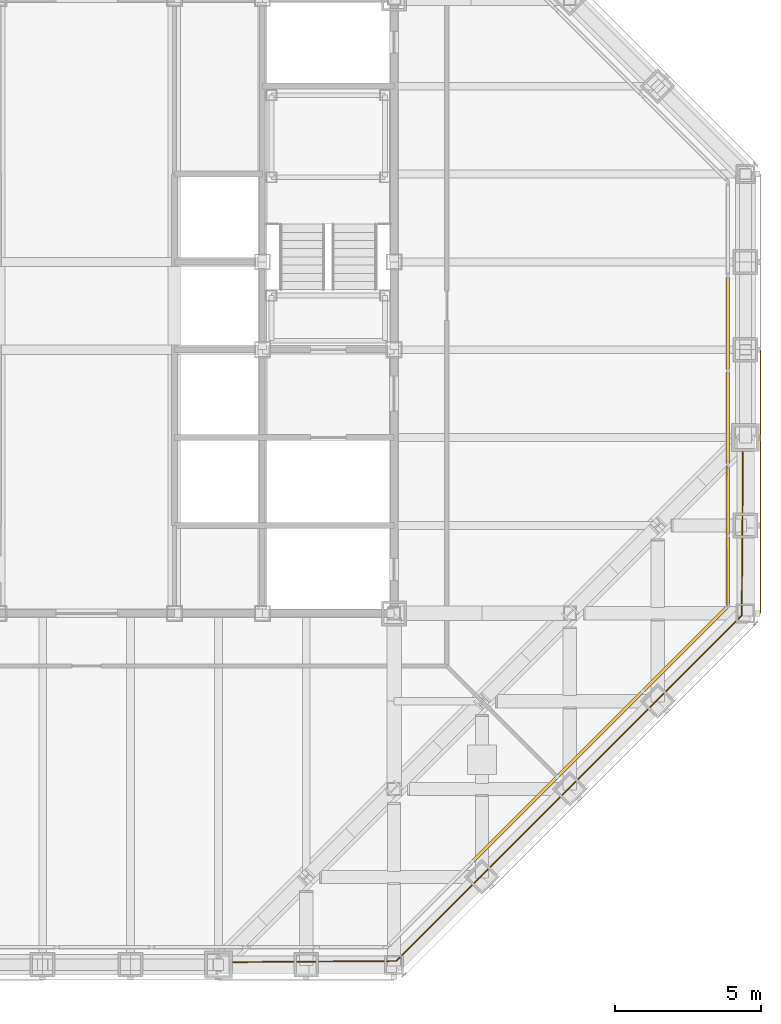
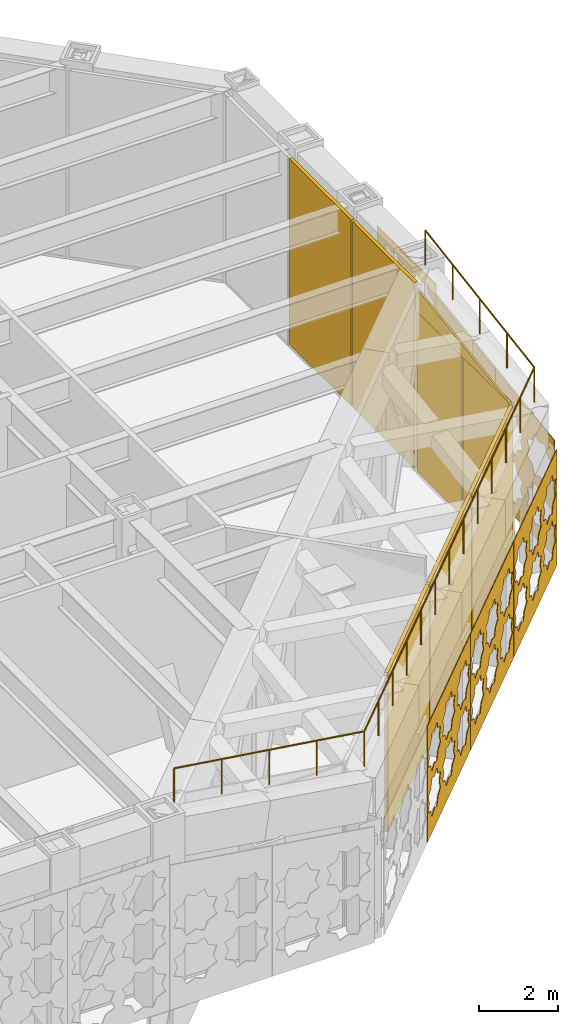
# One storey, part 25 of 29: 7 coverings, 7 shading devices, 1 railing, 3 elements without a shape of their own.
"""IFC4 building model written with IfcOpenShell, lengths in metres."""

from ifc_helpers import new_model, si_unit, direction, frame, origin, origin_2d, place, context, subcontext, project, spatial, polyline, rectangle, circle, outline, extrude, material, layer, layer_set, type_object, element, aggregate, save


model = new_model("IFC4")

# Units and contexts
model_context = context("Model", 3, precision=1e-05, world=origin(), true_north=direction((0.0, 1.0)))
body_context = subcontext(model_context, "Body", "Model", "MODEL_VIEW")
ifc_project = project(units=[si_unit("LENGTHUNIT", "METRE"), si_unit("AREAUNIT", "SQUARE_METRE"), si_unit("VOLUMEUNIT", "CUBIC_METRE"), si_unit("PLANEANGLEUNIT", "RADIAN"), si_unit("MASSUNIT", "GRAM", prefix="KILO")], contexts=[model_context])

# Site, building, storey
site_placement = place(None, origin())
site = spatial("IfcSite", under=ifc_project, at=site_placement, CompositionType="ELEMENT")
building_placement = place(site_placement, origin())
building = spatial("IfcBuilding", under=site, at=building_placement, Name="Chuquiago Exchange Tower", CompositionType="ELEMENT")
storey_placement = place(building_placement, frame((0.0, 0.0, 251.699951171875)))
storey = spatial("IfcBuildingStorey", under=building, at=storey_placement, Name="L56", CompositionType="ELEMENT", Elevation=251.699951171875)

# Curtain wall, shading devices
ifc_material_1 = material(Name="Aluminium curtain wall system", Category="aluminium")
ifc_layer_1 = layer(ifc_material_1, 0.199951171875)
ifc_layer_set_1 = layer_set([ifc_layer_1], Name="CW6 plant floor louvre wall")
curtain_wall_type = type_object("IfcCurtainWallType", Name="CW6 plant floor louvre wall", PredefinedType="NOTDEFINED", material=ifc_layer_set_1)
curtain_wall_1_placement = place(storey_placement, origin())
curtain_wall_1 = element("IfcCurtainWall", 1, at=curtain_wall_1_placement, inside=storey, type_object=curtain_wall_type, Name="CW6 curtain wall L56", PredefinedType="NOTDEFINED")
ifc_material_2 = material(Name="Aluminium louvre", Category="aluminium")
ifc_layer_2 = layer(ifc_material_2, 0.10009765625)
ifc_layer_set_2 = layer_set([ifc_layer_2], Name="CW6-P louvre panel 100")
shading_device_type = type_object("IfcShadingDeviceType", Name="CW6-P louvre panel 100", PredefinedType="USERDEFINED", material=ifc_layer_set_2)
shading_device_1_placement = place(storey_placement, frame((37.11962890625, 4.96826171875, 0.074951171875), z_axis=(0.0, 0.0, 1.0), x_axis=(0.707106781187, 0.707106781187, 0.0)))
shading_device_1 = element("IfcShadingDevice", 2, at=shading_device_1_placement, type_object=shading_device_type, Name="CW6 panel 2.1", ObjectType="LOUVER", PredefinedType="USERDEFINED", context=body_context, shape_type="SweptSolid", body=[
    extrude(rectangle(XDim=4.04345703125, YDim=0.10009765625, at=origin_2d()), origin(), (0.0, 0.0, 1.0), 4.9462890625),
])
shading_device_2_placement = place(storey_placement, frame((40.03173828125, 7.88037109375, 0.074951171875), z_axis=(0.0, 0.0, 1.0), x_axis=(0.707106781187, 0.707106781187, 0.0)))
shading_device_2 = element("IfcShadingDevice", 3, at=shading_device_2_placement, type_object=shading_device_type, Name="CW6 panel 3.1", ObjectType="LOUVER", PredefinedType="USERDEFINED", context=body_context, shape_type="SweptSolid", body=[
    extrude(rectangle(XDim=4.04345703125, YDim=0.10009765625, at=origin_2d()), origin(), (0.0, 0.0, 1.0), 4.9462890625),
])
shading_device_3_placement = place(storey_placement, frame((42.9306640625, 10.779296875, 0.074951171875), z_axis=(0.0, 0.0, 1.0), x_axis=(0.707106781187, 0.707106781187, 0.0)))
shading_device_3 = element("IfcShadingDevice", 4, at=shading_device_3_placement, type_object=shading_device_type, Name="CW6 panel 4.1", ObjectType="LOUVER", PredefinedType="USERDEFINED", context=body_context, shape_type="SweptSolid", body=[
    extrude(rectangle(XDim=4.005859375, YDim=0.10009765625, at=origin_2d()), origin(), (0.0, 0.0, 1.0), 4.9462890625),
])
aggregate(curtain_wall_1, [shading_device_1, shading_device_2, shading_device_3])

curtain_wall_2_placement = place(storey_placement, origin())
curtain_wall_2 = element("IfcCurtainWall", 5, at=curtain_wall_2_placement, inside=storey, type_object=curtain_wall_type, Name="CW6 curtain wall L56", PredefinedType="NOTDEFINED")
shading_device_4_placement = place(storey_placement, frame((44.39990234375, 13.466796875, 0.074951171875), z_axis=(0.0, 0.0, 1.0), x_axis=(0.0, 1.0, 0.0)))
shading_device_4 = element("IfcShadingDevice", 6, at=shading_device_4_placement, type_object=shading_device_type, Name="CW6 panel 1.1", ObjectType="LOUVER", PredefinedType="USERDEFINED", context=body_context, shape_type="SweptSolid", body=[
    extrude(rectangle(XDim=2.286376953125, YDim=0.10009765625, at=origin_2d()), origin(), (0.0, 0.0, 1.0), 4.9462890625),
])
shading_device_5_placement = place(storey_placement, frame((44.39990234375, 15.828125, 0.074951171875), z_axis=(0.0, 0.0, 1.0), x_axis=(0.0, 1.0, 0.0)))
shading_device_5 = element("IfcShadingDevice", 7, at=shading_device_5_placement, type_object=shading_device_type, Name="CW6 panel 2.1", ObjectType="LOUVER", PredefinedType="USERDEFINED", context=body_context, shape_type="SweptSolid", body=[
    extrude(rectangle(XDim=2.286376953125, YDim=0.10009765625, at=origin_2d()), origin(), (0.0, 0.0, 1.0), 4.9462890625),
])
aggregate(curtain_wall_2, [shading_device_4, shading_device_5])

curtain_wall_3_placement = place(storey_placement, origin())
curtain_wall_3 = element("IfcCurtainWall", 8, at=curtain_wall_3_placement, inside=storey, type_object=curtain_wall_type, Name="CW6 curtain wall L56", PredefinedType="NOTDEFINED")
shading_device_6_placement = place(storey_placement, frame((44.39990234375, 18.6826171875, 0.0751953125), z_axis=(0.0, 0.0, 1.0), x_axis=(0.0, 1.0, 0.0)))
shading_device_6 = element("IfcShadingDevice", 9, at=shading_device_6_placement, type_object=shading_device_type, Name="CW6 panel 1.1", ObjectType="LOUVER", PredefinedType="USERDEFINED", context=body_context, shape_type="SweptSolid", body=[
    extrude(rectangle(XDim=3.12255859375, YDim=0.10009765625, at=origin_2d()), origin(), (0.0, 0.0, 1.0), 5.764892578125),
])
shading_device_7_placement = place(storey_placement, frame((44.39990234375, 21.89892578125, 0.0751953125), z_axis=(0.0, 0.0, 1.0), x_axis=(0.0, 1.0, 0.0)))
shading_device_7 = element("IfcShadingDevice", 10, at=shading_device_7_placement, type_object=shading_device_type, Name="CW6 panel 2.1", ObjectType="LOUVER", PredefinedType="USERDEFINED", context=body_context, shape_type="SweptSolid", body=[
    extrude(rectangle(XDim=3.159912109375, YDim=0.10009765625, at=origin_2d()), origin(), (0.0, 0.0, 1.0), 5.764892578125),
])
aggregate(curtain_wall_3, [shading_device_6, shading_device_7])

# Coverings
ifc_material_3 = material(Name="Pale metal insulated fascia panel", Category="aluminium")
ifc_layer_3 = layer(ifc_material_3, 0.050048828125)
ifc_layer_set_3 = layer_set([ifc_layer_3], Name="FX1 raked fascia panel 50")
covering_type_1 = type_object("IfcCoveringType", Name="FX1 raked fascia panel 50", PredefinedType="CLADDING", material=ifc_layer_set_3)
covering_1_placement = place(storey_placement, frame((44.39990234375, 12.24853515625, 5.021240234375), z_axis=(1.0, 0.0, 0.0), x_axis=(0.0, 1.0, 0.0)))
element("IfcCovering", 11, at=covering_1_placement, inside=storey, type_object=covering_type_1, Name="Raked fascia L56 E under the SE facet roof", PredefinedType="CLADDING", context=body_context, shape_type="SweptSolid", body=[
    extrude(outline(polyline([(0.0, 0.0), (4.7978515625, 0.0), (4.7978515625, 0.72119140625), (0.0, 0.0)])), origin(), (0.0, 0.0, -1.0), 0.050048828125),
])
ifc_material_4 = material(Name="Anodised aluminium, pale", Category="aluminium")
ifc_layer_4 = layer(ifc_material_4, 0.02001953125)
ifc_layer_set_4 = layer_set([ifc_layer_4], Name="GC1 girih cladding panel 20")
covering_type_2 = type_object("IfcCoveringType", Name="GC1 girih cladding panel 20", PredefinedType="CLADDING", material=ifc_layer_set_4)
covering_2_placement = place(storey_placement, frame((45.5, 12.0048828125, 0.050048828125), z_axis=(0.0, 0.0, 1.0), x_axis=(0.0, 1.0, 0.0)))
element("IfcCovering", 12, at=covering_2_placement, inside=storey, type_object=covering_type_2, Name="Girih cladding panel L56 E 1", PredefinedType="CLADDING", context=body_context, shape_type="SweptSolid", body=[
    extrude(outline(polyline([(0.0, 0.0), (2.989990234375, 0.0), (2.989990234375, 4.04833984375), (0.0, 3.59912109375), (0.0, 0.0)]), holes=[polyline([(1.27392578125, 1.052001953125), (1.3828125, 1.315185546875), (1.11962890625, 1.42431640625), (1.0107421875, 1.6875), (0.74755859375, 1.578369140625), (0.484375, 1.6875), (0.375244140625, 1.42431640625), (0.112060546875, 1.315185546875), (0.22119140625, 1.052001953125), (0.112060546875, 0.788818359375), (0.375244140625, 0.6796875), (0.484375, 0.41650390625), (0.74755859375, 0.525634765625), (1.0107421875, 0.41650390625), (1.11962890625, 0.6796875), (1.3828125, 0.788818359375), (1.27392578125, 1.052001953125)]), polyline([(2.768798828125, 1.052001953125), (2.8779296875, 1.315185546875), (2.61474609375, 1.42431640625), (2.505615234375, 1.6875), (2.242431640625, 1.578369140625), (1.979248046875, 1.6875), (1.870361328125, 1.42431640625), (1.607177734375, 1.315185546875), (1.716064453125, 1.052001953125), (1.607177734375, 0.788818359375), (1.870361328125, 0.6796875), (1.979248046875, 0.41650390625), (2.242431640625, 0.525634765625), (2.505615234375, 0.41650390625), (2.61474609375, 0.6796875), (2.8779296875, 0.788818359375), (2.768798828125, 1.052001953125)]), polyline([(1.27392578125, 2.547119140625), (1.3828125, 2.810302734375), (1.11962890625, 2.919189453125), (1.0107421875, 3.182373046875), (0.74755859375, 3.073486328125), (0.484375, 3.182373046875), (0.375244140625, 2.919189453125), (0.112060546875, 2.810302734375), (0.22119140625, 2.547119140625), (0.112060546875, 2.28369140625), (0.375244140625, 2.1748046875), (0.484375, 1.91162109375), (0.74755859375, 2.0205078125), (1.0107421875, 1.91162109375), (1.11962890625, 2.1748046875), (1.3828125, 2.28369140625), (1.27392578125, 2.547119140625)]), polyline([(2.768798828125, 2.547119140625), (2.8779296875, 2.810302734375), (2.61474609375, 2.919189453125), (2.505615234375, 3.182373046875), (2.242431640625, 3.073486328125), (1.979248046875, 3.182373046875), (1.870361328125, 2.919189453125), (1.607177734375, 2.810302734375), (1.716064453125, 2.547119140625), (1.607177734375, 2.28369140625), (1.870361328125, 2.1748046875), (1.979248046875, 1.91162109375), (2.242431640625, 2.0205078125), (2.505615234375, 1.91162109375), (2.61474609375, 2.1748046875), (2.8779296875, 2.28369140625), (2.768798828125, 2.547119140625)])]), frame((0.0, 0.0, 0.0), z_axis=(0.0, -1.0, 0.0), x_axis=(1.0, 0.0, 0.0)), (0.0, 0.0, 1.0), 0.02001953125),
])
covering_3_placement = place(storey_placement, frame((45.5, 15.0048828125, 0.050048828125), z_axis=(0.0, 0.0, 1.0), x_axis=(0.0, 1.0, 0.0)))
element("IfcCovering", 13, at=covering_3_placement, inside=storey, type_object=covering_type_2, Name="Girih cladding panel L56 E 2", PredefinedType="CLADDING", context=body_context, shape_type="SweptSolid", body=[
    extrude(outline(polyline([(0.0, 0.0), (2.989990234375, 0.0), (2.989990234375, 4.499267578125), (0.0, 4.0498046875), (0.0, 0.0)]), holes=[polyline([(1.27392578125, 1.27734375), (1.3828125, 1.54052734375), (1.11962890625, 1.649658203125), (1.0107421875, 1.912841796875), (0.74755859375, 1.8037109375), (0.484375, 1.912841796875), (0.375244140625, 1.649658203125), (0.112060546875, 1.54052734375), (0.22119140625, 1.27734375), (0.112060546875, 1.014404296875), (0.375244140625, 0.9052734375), (0.484375, 0.64208984375), (0.74755859375, 0.751220703125), (1.0107421875, 0.64208984375), (1.11962890625, 0.9052734375), (1.3828125, 1.014404296875), (1.27392578125, 1.27734375)]), polyline([(2.768798828125, 1.27734375), (2.8779296875, 1.54052734375), (2.61474609375, 1.649658203125), (2.505615234375, 1.912841796875), (2.242431640625, 1.8037109375), (1.979248046875, 1.912841796875), (1.870361328125, 1.649658203125), (1.607177734375, 1.54052734375), (1.716064453125, 1.27734375), (1.607177734375, 1.014404296875), (1.870361328125, 0.9052734375), (1.979248046875, 0.64208984375), (2.242431640625, 0.751220703125), (2.505615234375, 0.64208984375), (2.61474609375, 0.9052734375), (2.8779296875, 1.014404296875), (2.768798828125, 1.27734375)]), polyline([(1.27392578125, 2.7724609375), (1.3828125, 3.03564453125), (1.11962890625, 3.14453125), (1.0107421875, 3.40771484375), (0.74755859375, 3.298828125), (0.484375, 3.40771484375), (0.375244140625, 3.14453125), (0.112060546875, 3.03564453125), (0.22119140625, 2.7724609375), (0.112060546875, 2.50927734375), (0.375244140625, 2.400390625), (0.484375, 2.13720703125), (0.74755859375, 2.24609375), (1.0107421875, 2.13720703125), (1.11962890625, 2.400390625), (1.3828125, 2.50927734375), (1.27392578125, 2.7724609375)]), polyline([(2.768798828125, 2.7724609375), (2.8779296875, 3.03564453125), (2.61474609375, 3.14453125), (2.505615234375, 3.40771484375), (2.242431640625, 3.298828125), (1.979248046875, 3.40771484375), (1.870361328125, 3.14453125), (1.607177734375, 3.03564453125), (1.716064453125, 2.7724609375), (1.607177734375, 2.50927734375), (1.870361328125, 2.400390625), (1.979248046875, 2.13720703125), (2.242431640625, 2.24609375), (2.505615234375, 2.13720703125), (2.61474609375, 2.400390625), (2.8779296875, 2.50927734375), (2.768798828125, 2.7724609375)])]), frame((0.0, 0.0, 0.0), z_axis=(0.0, -1.0, 0.0), x_axis=(1.0, 0.0, 0.0)), (0.0, 0.0, 1.0), 0.02001953125),
])
covering_4_placement = place(storey_placement, frame((45.5, 18.0048828125, 0.050048828125), z_axis=(0.0, 0.0, 1.0), x_axis=(0.0, 1.0, 0.0)))
element("IfcCovering", 14, at=covering_4_placement, inside=storey, type_object=covering_type_2, Name="Girih cladding panel L56 E 3", PredefinedType="CLADDING", context=body_context, shape_type="SweptSolid", body=[
    extrude(outline(polyline([(0.0, 0.0), (2.989990234375, 0.0), (2.989990234375, 4.7900390625), (0.0, 4.7900390625), (0.0, 0.0)]), holes=[polyline([(1.27392578125, 0.89990234375), (1.3828125, 1.1630859375), (1.11962890625, 1.272216796875), (1.0107421875, 1.535400390625), (0.74755859375, 1.426513671875), (0.484375, 1.535400390625), (0.375244140625, 1.272216796875), (0.112060546875, 1.1630859375), (0.22119140625, 0.89990234375), (0.112060546875, 0.63671875), (0.375244140625, 0.52783203125), (0.484375, 0.2646484375), (0.74755859375, 0.37353515625), (1.0107421875, 0.2646484375), (1.11962890625, 0.52783203125), (1.3828125, 0.63671875), (1.27392578125, 0.89990234375)]), polyline([(2.768798828125, 0.89990234375), (2.8779296875, 1.1630859375), (2.61474609375, 1.272216796875), (2.505615234375, 1.535400390625), (2.242431640625, 1.426513671875), (1.979248046875, 1.535400390625), (1.870361328125, 1.272216796875), (1.607177734375, 1.1630859375), (1.716064453125, 0.89990234375), (1.607177734375, 0.63671875), (1.870361328125, 0.52783203125), (1.979248046875, 0.2646484375), (2.242431640625, 0.37353515625), (2.505615234375, 0.2646484375), (2.61474609375, 0.52783203125), (2.8779296875, 0.63671875), (2.768798828125, 0.89990234375)]), polyline([(1.27392578125, 2.39501953125), (1.3828125, 2.658203125), (1.11962890625, 2.76708984375), (1.0107421875, 3.030517578125), (0.74755859375, 2.92138671875), (0.484375, 3.030517578125), (0.375244140625, 2.76708984375), (0.112060546875, 2.658203125), (0.22119140625, 2.39501953125), (0.112060546875, 2.1318359375), (0.375244140625, 2.022705078125), (0.484375, 1.759521484375), (0.74755859375, 1.86865234375), (1.0107421875, 1.759521484375), (1.11962890625, 2.022705078125), (1.3828125, 2.1318359375), (1.27392578125, 2.39501953125)]), polyline([(2.768798828125, 2.39501953125), (2.8779296875, 2.658203125), (2.61474609375, 2.76708984375), (2.505615234375, 3.030517578125), (2.242431640625, 2.92138671875), (1.979248046875, 3.030517578125), (1.870361328125, 2.76708984375), (1.607177734375, 2.658203125), (1.716064453125, 2.39501953125), (1.607177734375, 2.1318359375), (1.870361328125, 2.022705078125), (1.979248046875, 1.759521484375), (2.242431640625, 1.86865234375), (2.505615234375, 1.759521484375), (2.61474609375, 2.022705078125), (2.8779296875, 2.1318359375), (2.768798828125, 2.39501953125)]), polyline([(1.27392578125, 3.889892578125), (1.3828125, 4.1533203125), (1.11962890625, 4.26220703125), (1.0107421875, 4.525390625), (0.74755859375, 4.41650390625), (0.484375, 4.525390625), (0.375244140625, 4.26220703125), (0.112060546875, 4.1533203125), (0.22119140625, 3.889892578125), (0.112060546875, 3.626708984375), (0.375244140625, 3.517822265625), (0.484375, 3.254638671875), (0.74755859375, 3.363525390625), (1.0107421875, 3.254638671875), (1.11962890625, 3.517822265625), (1.3828125, 3.626708984375), (1.27392578125, 3.889892578125)]), polyline([(2.768798828125, 3.889892578125), (2.8779296875, 4.1533203125), (2.61474609375, 4.26220703125), (2.505615234375, 4.525390625), (2.242431640625, 4.41650390625), (1.979248046875, 4.525390625), (1.870361328125, 4.26220703125), (1.607177734375, 4.1533203125), (1.716064453125, 3.889892578125), (1.607177734375, 3.626708984375), (1.870361328125, 3.517822265625), (1.979248046875, 3.254638671875), (2.242431640625, 3.363525390625), (2.505615234375, 3.254638671875), (2.61474609375, 3.517822265625), (2.8779296875, 3.626708984375), (2.768798828125, 3.889892578125)])]), frame((0.0, 0.0, 0.0), z_axis=(0.0, -1.0, 0.0), x_axis=(1.0, 0.0, 0.0)), (0.0, 0.0, 1.0), 0.02001953125),
])
ifc_material_5 = material(Name="Anodised aluminium, pale", Category="aluminium")
ifc_layer_5 = layer(ifc_material_5, 0.02001953125)
ifc_layer_set_5 = layer_set([ifc_layer_5], Name="GC2 girih cladding panel 20")
covering_type_3 = type_object("IfcCoveringType", Name="GC2 girih cladding panel 20", PredefinedType="CLADDING", material=ifc_layer_set_5)
covering_5_placement = place(storey_placement, frame((36.357177734375, 2.64990234375, 0.050048828125), z_axis=(0.0, 0.0, 1.0), x_axis=(0.707106781187, 0.707106781187, 0.0)))
element("IfcCovering", 15, at=covering_5_placement, inside=storey, type_object=covering_type_3, Name="Girih cladding panel L56 SE 2", PredefinedType="CLADDING", context=body_context, shape_type="SweptSolid", body=[
    extrude(outline(polyline([(0.0, 0.0), (4.232666015625, 0.0), (4.232666015625, 3.59814453125), (0.0, 3.59814453125), (0.0, 0.0)]), holes=[polyline([(1.2021484375, 1.093505859375), (1.304931640625, 1.342041015625), (1.056640625, 1.44482421875), (0.953857421875, 1.693115234375), (0.70556640625, 1.59033203125), (0.45703125, 1.693115234375), (0.354248046875, 1.44482421875), (0.10595703125, 1.342041015625), (0.208740234375, 1.093505859375), (0.10595703125, 0.84521484375), (0.354248046875, 0.742431640625), (0.45703125, 0.494140625), (0.705322265625, 0.596923828125), (0.953857421875, 0.494140625), (1.056640625, 0.742431640625), (1.304931640625, 0.84521484375), (1.2021484375, 1.093505859375)]), polyline([(2.613037109375, 1.093505859375), (2.7158203125, 1.342041015625), (2.467529296875, 1.44482421875), (2.36474609375, 1.693115234375), (2.116455078125, 1.59033203125), (1.867919921875, 1.693115234375), (1.76513671875, 1.44482421875), (1.516845703125, 1.342041015625), (1.61962890625, 1.093505859375), (1.516845703125, 0.84521484375), (1.76513671875, 0.742431640625), (1.867919921875, 0.494140625), (2.116455078125, 0.596923828125), (2.36474609375, 0.494140625), (2.467529296875, 0.742431640625), (2.7158203125, 0.84521484375), (2.613037109375, 1.093505859375)]), polyline([(4.02392578125, 1.093505859375), (4.126708984375, 1.342041015625), (3.87841796875, 1.44482421875), (3.775634765625, 1.693115234375), (3.527099609375, 1.59033203125), (3.27880859375, 1.693115234375), (3.176025390625, 1.44482421875), (2.927734375, 1.342041015625), (3.030517578125, 1.093505859375), (2.927734375, 0.84521484375), (3.176025390625, 0.742431640625), (3.27880859375, 0.494140625), (3.527099609375, 0.596923828125), (3.775634765625, 0.494140625), (3.87841796875, 0.742431640625), (4.126708984375, 0.84521484375), (4.02392578125, 1.093505859375)]), polyline([(1.2021484375, 2.50439453125), (1.304931640625, 2.7529296875), (1.056640625, 2.855712890625), (0.953857421875, 3.10400390625), (0.70556640625, 3.001220703125), (0.45703125, 3.10400390625), (0.354248046875, 2.855712890625), (0.10595703125, 2.7529296875), (0.208740234375, 2.50439453125), (0.10595703125, 2.256103515625), (0.354248046875, 2.1533203125), (0.45703125, 1.905029296875), (0.705322265625, 2.0078125), (0.953857421875, 1.905029296875), (1.056640625, 2.1533203125), (1.304931640625, 2.256103515625), (1.2021484375, 2.50439453125)]), polyline([(2.613037109375, 2.50439453125), (2.7158203125, 2.7529296875), (2.467529296875, 2.855712890625), (2.36474609375, 3.10400390625), (2.116455078125, 3.001220703125), (1.867919921875, 3.10400390625), (1.76513671875, 2.855712890625), (1.516845703125, 2.7529296875), (1.61962890625, 2.50439453125), (1.516845703125, 2.256103515625), (1.76513671875, 2.1533203125), (1.867919921875, 1.905029296875), (2.116455078125, 2.0078125), (2.36474609375, 1.905029296875), (2.467529296875, 2.1533203125), (2.7158203125, 2.256103515625), (2.613037109375, 2.50439453125)]), polyline([(4.02392578125, 2.50439453125), (4.126708984375, 2.7529296875), (3.87841796875, 2.855712890625), (3.775634765625, 3.10400390625), (3.527099609375, 3.001220703125), (3.27880859375, 3.10400390625), (3.176025390625, 2.855712890625), (2.927734375, 2.7529296875), (3.030517578125, 2.50439453125), (2.927734375, 2.256103515625), (3.176025390625, 2.1533203125), (3.27880859375, 1.905029296875), (3.527099609375, 2.0078125), (3.775634765625, 1.905029296875), (3.87841796875, 2.1533203125), (4.126708984375, 2.256103515625), (4.02392578125, 2.50439453125)])]), frame((0.0, 0.0, 0.0), z_axis=(0.0, -1.0, 0.0), x_axis=(1.0, 0.0, 0.0)), (0.0, 0.0, 1.0), 0.02001953125),
])
covering_6_placement = place(storey_placement, frame((39.357177734375, 5.64990234375, 0.050048828125), z_axis=(0.0, 0.0, 1.0), x_axis=(0.707106781187, 0.707106781187, 0.0)))
element("IfcCovering", 16, at=covering_6_placement, inside=storey, type_object=covering_type_3, Name="Girih cladding panel L56 SE 3", PredefinedType="CLADDING", context=body_context, shape_type="SweptSolid", body=[
    extrude(outline(polyline([(0.0, 0.0), (4.232666015625, 0.0), (4.232666015625, 3.59814453125), (0.0, 3.59814453125), (0.0, 0.0)]), holes=[polyline([(1.2021484375, 1.093505859375), (1.304931640625, 1.342041015625), (1.056640625, 1.44482421875), (0.953857421875, 1.693115234375), (0.70556640625, 1.59033203125), (0.45703125, 1.693115234375), (0.354248046875, 1.44482421875), (0.10595703125, 1.342041015625), (0.208740234375, 1.093505859375), (0.10595703125, 0.84521484375), (0.354248046875, 0.742431640625), (0.45703125, 0.494140625), (0.705322265625, 0.596923828125), (0.953857421875, 0.494140625), (1.056640625, 0.742431640625), (1.304931640625, 0.84521484375), (1.2021484375, 1.093505859375)]), polyline([(2.613037109375, 1.093505859375), (2.7158203125, 1.342041015625), (2.467529296875, 1.44482421875), (2.36474609375, 1.693115234375), (2.116455078125, 1.59033203125), (1.867919921875, 1.693115234375), (1.76513671875, 1.44482421875), (1.516845703125, 1.342041015625), (1.61962890625, 1.093505859375), (1.516845703125, 0.84521484375), (1.76513671875, 0.742431640625), (1.867919921875, 0.494140625), (2.116455078125, 0.596923828125), (2.36474609375, 0.494140625), (2.467529296875, 0.742431640625), (2.7158203125, 0.84521484375), (2.613037109375, 1.093505859375)]), polyline([(4.02392578125, 1.093505859375), (4.126708984375, 1.342041015625), (3.87841796875, 1.44482421875), (3.775634765625, 1.693115234375), (3.527099609375, 1.59033203125), (3.27880859375, 1.693115234375), (3.176025390625, 1.44482421875), (2.927734375, 1.342041015625), (3.030517578125, 1.093505859375), (2.927734375, 0.84521484375), (3.176025390625, 0.742431640625), (3.27880859375, 0.494140625), (3.527099609375, 0.596923828125), (3.775634765625, 0.494140625), (3.87841796875, 0.742431640625), (4.126708984375, 0.84521484375), (4.02392578125, 1.093505859375)]), polyline([(1.2021484375, 2.50439453125), (1.304931640625, 2.7529296875), (1.056640625, 2.855712890625), (0.953857421875, 3.10400390625), (0.70556640625, 3.001220703125), (0.45703125, 3.10400390625), (0.354248046875, 2.855712890625), (0.10595703125, 2.7529296875), (0.208740234375, 2.50439453125), (0.10595703125, 2.256103515625), (0.354248046875, 2.1533203125), (0.45703125, 1.905029296875), (0.705322265625, 2.0078125), (0.953857421875, 1.905029296875), (1.056640625, 2.1533203125), (1.304931640625, 2.256103515625), (1.2021484375, 2.50439453125)]), polyline([(2.613037109375, 2.50439453125), (2.7158203125, 2.7529296875), (2.467529296875, 2.855712890625), (2.36474609375, 3.10400390625), (2.116455078125, 3.001220703125), (1.867919921875, 3.10400390625), (1.76513671875, 2.855712890625), (1.516845703125, 2.7529296875), (1.61962890625, 2.50439453125), (1.516845703125, 2.256103515625), (1.76513671875, 2.1533203125), (1.867919921875, 1.905029296875), (2.116455078125, 2.0078125), (2.36474609375, 1.905029296875), (2.467529296875, 2.1533203125), (2.7158203125, 2.256103515625), (2.613037109375, 2.50439453125)]), polyline([(4.02392578125, 2.50439453125), (4.126708984375, 2.7529296875), (3.87841796875, 2.855712890625), (3.775634765625, 3.10400390625), (3.527099609375, 3.001220703125), (3.27880859375, 3.10400390625), (3.176025390625, 2.855712890625), (2.927734375, 2.7529296875), (3.030517578125, 2.50439453125), (2.927734375, 2.256103515625), (3.176025390625, 2.1533203125), (3.27880859375, 1.905029296875), (3.527099609375, 2.0078125), (3.775634765625, 1.905029296875), (3.87841796875, 2.1533203125), (4.126708984375, 2.256103515625), (4.02392578125, 2.50439453125)])]), frame((0.0, 0.0, 0.0), z_axis=(0.0, -1.0, 0.0), x_axis=(1.0, 0.0, 0.0)), (0.0, 0.0, 1.0), 0.02001953125),
])
covering_7_placement = place(storey_placement, frame((42.357177734375, 8.64990234375, 0.050048828125), z_axis=(0.0, 0.0, 1.0), x_axis=(0.707106781187, 0.707106781187, 0.0)))
element("IfcCovering", 17, at=covering_7_placement, inside=storey, type_object=covering_type_3, Name="Girih cladding panel L56 SE 4", PredefinedType="CLADDING", context=body_context, shape_type="SweptSolid", body=[
    extrude(outline(polyline([(0.0, 0.0), (4.232666015625, 0.0), (4.232666015625, 3.59814453125), (0.0, 3.59814453125), (0.0, 0.0)]), holes=[polyline([(1.2021484375, 1.093505859375), (1.304931640625, 1.342041015625), (1.056640625, 1.44482421875), (0.953857421875, 1.693115234375), (0.70556640625, 1.59033203125), (0.45703125, 1.693115234375), (0.354248046875, 1.44482421875), (0.10595703125, 1.342041015625), (0.208740234375, 1.093505859375), (0.10595703125, 0.84521484375), (0.354248046875, 0.742431640625), (0.45703125, 0.494140625), (0.705322265625, 0.596923828125), (0.953857421875, 0.494140625), (1.056640625, 0.742431640625), (1.304931640625, 0.84521484375), (1.2021484375, 1.093505859375)]), polyline([(2.613037109375, 1.093505859375), (2.7158203125, 1.342041015625), (2.467529296875, 1.44482421875), (2.36474609375, 1.693115234375), (2.116455078125, 1.59033203125), (1.867919921875, 1.693115234375), (1.76513671875, 1.44482421875), (1.516845703125, 1.342041015625), (1.61962890625, 1.093505859375), (1.516845703125, 0.84521484375), (1.76513671875, 0.742431640625), (1.867919921875, 0.494140625), (2.116455078125, 0.596923828125), (2.36474609375, 0.494140625), (2.467529296875, 0.742431640625), (2.7158203125, 0.84521484375), (2.613037109375, 1.093505859375)]), polyline([(4.02392578125, 1.093505859375), (4.126708984375, 1.342041015625), (3.87841796875, 1.44482421875), (3.775634765625, 1.693115234375), (3.527099609375, 1.59033203125), (3.27880859375, 1.693115234375), (3.176025390625, 1.44482421875), (2.927734375, 1.342041015625), (3.030517578125, 1.093505859375), (2.927734375, 0.84521484375), (3.176025390625, 0.742431640625), (3.27880859375, 0.494140625), (3.527099609375, 0.596923828125), (3.775634765625, 0.494140625), (3.87841796875, 0.742431640625), (4.126708984375, 0.84521484375), (4.02392578125, 1.093505859375)]), polyline([(1.2021484375, 2.50439453125), (1.304931640625, 2.7529296875), (1.056640625, 2.855712890625), (0.953857421875, 3.10400390625), (0.70556640625, 3.001220703125), (0.45703125, 3.10400390625), (0.354248046875, 2.855712890625), (0.10595703125, 2.7529296875), (0.208740234375, 2.50439453125), (0.10595703125, 2.256103515625), (0.354248046875, 2.1533203125), (0.45703125, 1.905029296875), (0.705322265625, 2.0078125), (0.953857421875, 1.905029296875), (1.056640625, 2.1533203125), (1.304931640625, 2.256103515625), (1.2021484375, 2.50439453125)]), polyline([(2.613037109375, 2.50439453125), (2.7158203125, 2.7529296875), (2.467529296875, 2.855712890625), (2.36474609375, 3.10400390625), (2.116455078125, 3.001220703125), (1.867919921875, 3.10400390625), (1.76513671875, 2.855712890625), (1.516845703125, 2.7529296875), (1.61962890625, 2.50439453125), (1.516845703125, 2.256103515625), (1.76513671875, 2.1533203125), (1.867919921875, 1.905029296875), (2.116455078125, 2.0078125), (2.36474609375, 1.905029296875), (2.467529296875, 2.1533203125), (2.7158203125, 2.256103515625), (2.613037109375, 2.50439453125)]), polyline([(4.02392578125, 2.50439453125), (4.126708984375, 2.7529296875), (3.87841796875, 2.855712890625), (3.775634765625, 3.10400390625), (3.527099609375, 3.001220703125), (3.27880859375, 3.10400390625), (3.176025390625, 2.855712890625), (2.927734375, 2.7529296875), (3.030517578125, 2.50439453125), (2.927734375, 2.256103515625), (3.176025390625, 2.1533203125), (3.27880859375, 1.905029296875), (3.527099609375, 2.0078125), (3.775634765625, 1.905029296875), (3.87841796875, 2.1533203125), (4.126708984375, 2.256103515625), (4.02392578125, 2.50439453125)])]), frame((0.0, 0.0, 0.0), z_axis=(0.0, -1.0, 0.0), x_axis=(1.0, 0.0, 0.0)), (0.0, 0.0, 1.0), 0.02001953125),
])

# Railing
ifc_material_6 = material(Name="Galvanised steel guard", Category="steel")
railing_type = type_object("IfcRailingType", Name="GR2 roof guard 1100", PredefinedType="GUARDRAIL", material=ifc_material_6)
railing_placement = place(storey_placement, frame((44.910888671875, 17.52587890625, 5.942138671875)))
element("IfcRailing", 18, at=railing_placement, inside=storey, type_object=railing_type, Name="Facet roof L56 SE guard, maintenance access only", PredefinedType="GUARDRAIL", context=body_context, shape_type="SweptSolid", body=[
    extrude(circle(Radius=0.02392578125, at=origin_2d()), frame((0.0, 0.0, 1.076171875), z_axis=(-0.006981336084, -0.989022611847, -0.147599235101), x_axis=(0.999975087436, -0.007058647676, 0.0)), (0.0, 0.0, 1.0), 5.665283203125),
    extrude(circle(Radius=0.02392578125, at=origin_2d()), frame((-0.03955078125, -5.60302734375, 0.23974609375), z_axis=(-0.707106781187, -0.707106781187, 0.0), x_axis=(0.707106781187, -0.707106781187, 0.0)), (0.0, 0.0, 1.0), 16.679443359375),
    extrude(circle(Radius=0.02392578125, at=origin_2d()), frame((-11.833740234375, -17.397216796875, 0.23974609375), z_axis=(-0.989022611847, -0.006981336084, 0.147599235101), x_axis=(0.007058647676, -0.999975087436, 0.0)), (0.0, 0.0, 1.0), 5.665283203125),
    extrude(circle(Radius=0.02099609375, at=origin_2d()), origin(), (0.0, 0.0, 1.0), 1.052001953125),
    extrude(circle(Radius=0.02099609375, at=origin_2d()), frame((-0.009765625, -1.40087890625, -0.208984375)), (0.0, 0.0, 1.0), 1.052001953125),
    extrude(circle(Radius=0.02099609375, at=origin_2d()), frame((-0.019775390625, -2.801513671875, -0.41796875)), (0.0, 0.0, 1.0), 1.052001953125),
    extrude(circle(Radius=0.02099609375, at=origin_2d()), frame((-0.02978515625, -4.2021484375, -0.627197265625)), (0.0, 0.0, 1.0), 1.052001953125),
    extrude(circle(Radius=0.02099609375, at=origin_2d()), frame((-0.03955078125, -5.60302734375, -0.836181640625)), (0.0, 0.0, 1.0), 1.052001953125),
    extrude(circle(Radius=0.02099609375, at=origin_2d()), frame((-1.0224609375, -6.5859375, -0.836181640625)), (0.0, 0.0, 1.0), 1.052001953125),
    extrude(circle(Radius=0.02099609375, at=origin_2d()), frame((-2.00537109375, -7.56884765625, -0.836181640625)), (0.0, 0.0, 1.0), 1.052001953125),
    extrude(circle(Radius=0.02099609375, at=origin_2d()), frame((-2.988037109375, -8.551513671875, -0.836181640625)), (0.0, 0.0, 1.0), 1.052001953125),
    extrude(circle(Radius=0.02099609375, at=origin_2d()), frame((-3.970947265625, -9.534423828125, -0.836181640625)), (0.0, 0.0, 1.0), 1.052001953125),
    extrude(circle(Radius=0.02099609375, at=origin_2d()), frame((-4.953857421875, -10.517333984375, -0.836181640625)), (0.0, 0.0, 1.0), 1.052001953125),
    extrude(circle(Radius=0.02099609375, at=origin_2d()), frame((-5.9365234375, -11.5, -0.836181640625)), (0.0, 0.0, 1.0), 1.052001953125),
    extrude(circle(Radius=0.02099609375, at=origin_2d()), frame((-6.91943359375, -12.48291015625, -0.836181640625)), (0.0, 0.0, 1.0), 1.052001953125),
    extrude(circle(Radius=0.02099609375, at=origin_2d()), frame((-7.90234375, -13.4658203125, -0.836181640625)), (0.0, 0.0, 1.0), 1.052001953125),
    extrude(circle(Radius=0.02099609375, at=origin_2d()), frame((-8.88525390625, -14.44873046875, -0.836181640625)), (0.0, 0.0, 1.0), 1.052001953125),
    extrude(circle(Radius=0.02099609375, at=origin_2d()), frame((-9.8681640625, -15.431640625, -0.836181640625)), (0.0, 0.0, 1.0), 1.052001953125),
    extrude(circle(Radius=0.02099609375, at=origin_2d()), frame((-10.850830078125, -16.414306640625, -0.836181640625)), (0.0, 0.0, 1.0), 1.052001953125),
    extrude(circle(Radius=0.02099609375, at=origin_2d()), frame((-11.833740234375, -17.397216796875, -0.836181640625)), (0.0, 0.0, 1.0), 1.052001953125),
    extrude(circle(Radius=0.02099609375, at=origin_2d()), frame((-13.234375, -17.4072265625, -0.627197265625)), (0.0, 0.0, 1.0), 1.052001953125),
    extrude(circle(Radius=0.02099609375, at=origin_2d()), frame((-14.63525390625, -17.4169921875, -0.41796875)), (0.0, 0.0, 1.0), 1.052001953125),
    extrude(circle(Radius=0.02099609375, at=origin_2d()), frame((-16.0361328125, -17.4267578125, -0.208984375)), (0.0, 0.0, 1.0), 1.052001953125),
    extrude(circle(Radius=0.02099609375, at=origin_2d()), frame((-17.436767578125, -17.436767578125, 0.0)), (0.0, 0.0, 1.0), 1.052001953125),
])

save(model, "model.ifc")
